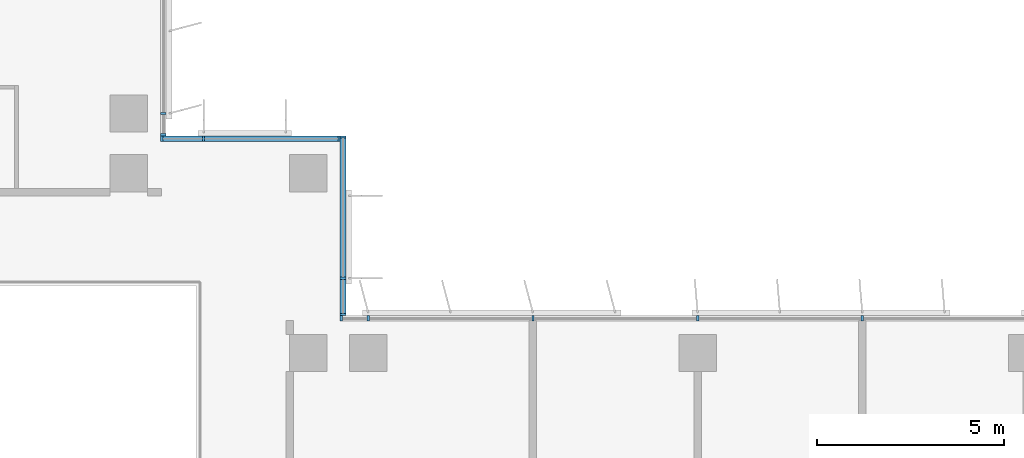
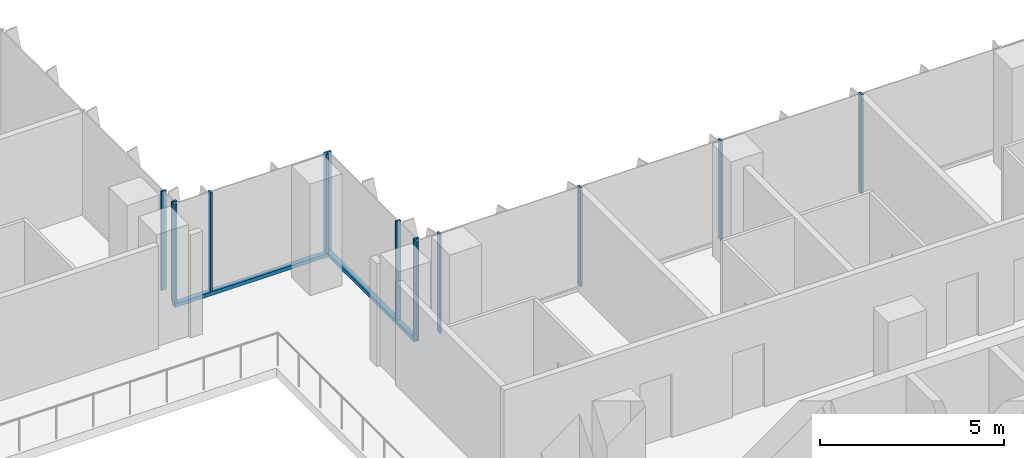
# One storey, part 2 of 21: 15 members, 4 elements without a shape of their own.
"""IFC4 building model written with IfcOpenShell, lengths in metres."""

from ifc_helpers import new_model, si_unit, direction, frame, origin, origin_2d, place, context, subcontext, project, spatial, rectangle, extrude, source, transform, mapped, material, material_profile, profile_set, type_object, element, aggregate, save


model = new_model("IFC4")

# Units and contexts
model_context = context("Model", 3, precision=1e-05, world=origin(), true_north=direction((0.0, 1.0)))
body_context = subcontext(model_context, "Body", "Model", "MODEL_VIEW")
ifc_project = project(units=[si_unit("LENGTHUNIT", "METRE"), si_unit("AREAUNIT", "SQUARE_METRE"), si_unit("VOLUMEUNIT", "CUBIC_METRE"), si_unit("PLANEANGLEUNIT", "RADIAN"), si_unit("MASSUNIT", "GRAM", prefix="KILO")], contexts=[model_context])

# Site, building, storey
site_placement = place(None, origin())
site = spatial("IfcSite", under=ifc_project, at=site_placement, CompositionType="ELEMENT")
building_placement = place(site_placement, origin())
building = spatial("IfcBuilding", under=site, at=building_placement, Name="Kemantara Hotel Tower", CompositionType="ELEMENT")
storey_placement = place(building_placement, frame((0.0, 0.0, 208.0)))
storey = spatial("IfcBuildingStorey", under=building, at=storey_placement, Name="L51", CompositionType="ELEMENT", Elevation=208.0)

# Curtain wall, member
ifc_material_1 = material(Name="Low-E tinted double insulated glass 36 mm", Category="glass")
curtain_wall_type = type_object("IfcCurtainWallType", Name="TOWER CURTAIN WALL, FRONT FACES", PredefinedType="USERDEFINED", material=ifc_material_1)
curtain_wall_1_placement = place(storey_placement, origin())
curtain_wall_1 = element("IfcCurtainWall", 1, at=curtain_wall_1_placement, inside=storey, type_object=curtain_wall_type, Name="CW4 L51 T3-R15-1", ObjectType="TOWER CURTAIN WALL, FRONT FACES", PredefinedType="USERDEFINED")
ifc_material_2 = material(Name="Aluminium 6063-T6 bronze anodised", Category="aluminium")
ifc_material_profile_1 = material_profile(ifc_material_2, rectangle(XDim=0.14990234375, YDim=0.1201171875, at=origin_2d()), Name="TOWER CURTAIN WALL, FRONT FACES TRANSOM")
ifc_profile_set_1 = profile_set([ifc_material_profile_1], Name="Aluminium 6063-T6 bronze anodised")
member_type_1 = type_object("IfcMemberType", Name="TOWER CURTAIN WALL, FRONT FACES TRANSOM", PredefinedType="USERDEFINED", material=ifc_profile_set_1)
member_1_placement = place(storey_placement, frame((26.72509765625, 22.0, 0.06005859375), z_axis=(0.0, 1.0, 0.0), x_axis=(-1.0, 0.0, 0.0)))
member_1 = element("IfcMember", 2, at=member_1_placement, type_object=member_type_1, Name="CW4 sill transom T3-R15-1", ObjectType="TRANSOM", PredefinedType="USERDEFINED", context=body_context, shape_type="SweptSolid", body=[
    extrude(rectangle(XDim=0.14990234375, YDim=0.1201171875, at=origin_2d()), origin(), (0.0, 0.0, 1.0), 4.800048828125),
])

curtain_wall_2_placement = place(storey_placement, origin())
curtain_wall_2 = element("IfcCurtainWall", 3, at=curtain_wall_2_placement, inside=storey, type_object=curtain_wall_type, Name="CW4 L51 T3-R16-1", ObjectType="TOWER CURTAIN WALL, FRONT FACES", PredefinedType="USERDEFINED")
member_2_placement = place(storey_placement, frame((26.64990234375, 26.72509765625, 0.06005859375), z_axis=(-1.0, 0.0, 0.0), x_axis=(0.0, -1.0, 0.0)))
member_2 = element("IfcMember", 4, at=member_2_placement, type_object=member_type_1, Name="CW4 sill transom T3-R16-1", ObjectType="TRANSOM", PredefinedType="USERDEFINED", context=body_context, shape_type="SweptSolid", body=[
    extrude(rectangle(XDim=0.14990234375, YDim=0.1201171875, at=origin_2d()), origin(), (0.0, 0.0, 1.0), 4.7998046875),
])

# Curtain wall, members
curtain_wall_3_placement = place(storey_placement, origin())
curtain_wall_3 = element("IfcCurtainWall", 5, at=curtain_wall_3_placement, inside=storey, type_object=curtain_wall_type, Name="CW4 L51 T3-R14-1", ObjectType="TOWER CURTAIN WALL, FRONT FACES", PredefinedType="USERDEFINED")
ifc_material_profile_2 = material_profile(ifc_material_2, rectangle(XDim=0.14990234375, YDim=0.06005859375, at=origin_2d()), Name="TOWER CURTAIN WALL, FRONT FACES MULLION")
ifc_profile_set_2 = profile_set([ifc_material_profile_2], Name="Aluminium 6063-T6 bronze anodised")
member_type_2 = type_object("IfcMemberType", Name="TOWER CURTAIN WALL, FRONT FACES MULLION", PredefinedType="MULLION", material=ifc_profile_set_2)
shared_shape = source(origin(), body_context, "Body", "SweptSolid", [
    extrude(rectangle(XDim=0.14990234375, YDim=0.06005859375, at=origin_2d()), origin(), (0.0, 0.0, 1.0), 3.27978515625),
])
member_3_placement = place(storey_placement, frame((40.60009765625, 21.925048828125, 0.1201171875), z_axis=(0.0, 0.0, 1.0), x_axis=(0.0, -1.0, 0.0)))
member_3 = element("IfcMember", 6, at=member_3_placement, type_object=member_type_2, Name="CW4 mullion T3-R14-1.6", PredefinedType="MULLION", context=body_context, shape_type="MappedRepresentation", body=[
    mapped(shared_shape, transform((0.0, 0.0, 0.0))),
])
member_4_placement = place(storey_placement, frame((36.199951171875, 21.925048828125, 0.1201171875), z_axis=(0.0, 0.0, 1.0), x_axis=(0.0, -1.0, 0.0)))
member_4 = element("IfcMember", 7, at=member_4_placement, type_object=member_type_2, Name="CW4 mullion T3-R14-1.7", PredefinedType="MULLION", context=body_context, shape_type="MappedRepresentation", body=[
    mapped(shared_shape, transform((0.0, 0.0, 0.0))),
])
member_5_placement = place(storey_placement, frame((31.800048828125, 21.925048828125, 0.1201171875), z_axis=(0.0, 0.0, 1.0), x_axis=(0.0, -1.0, 0.0)))
member_5 = element("IfcMember", 8, at=member_5_placement, type_object=member_type_2, Name="CW4 mullion T3-R14-1.8", PredefinedType="MULLION", context=body_context, shape_type="MappedRepresentation", body=[
    mapped(shared_shape, transform((0.0, 0.0, 0.0))),
])
member_6_placement = place(storey_placement, frame((27.39990234375, 21.925048828125, 0.1201171875), z_axis=(0.0, 0.0, 1.0), x_axis=(0.0, -1.0, 0.0)))
member_6 = element("IfcMember", 9, at=member_6_placement, type_object=member_type_2, Name="CW4 mullion T3-R14-1.9", PredefinedType="MULLION", context=body_context, shape_type="MappedRepresentation", body=[
    mapped(shared_shape, transform((0.0, 0.0, 0.0))),
])
member_7_placement = place(storey_placement, frame((26.679931640625, 21.925048828125, 0.1201171875), z_axis=(0.0, 0.0, 1.0), x_axis=(0.0, -1.0, 0.0)))
member_7 = element("IfcMember", 10, at=member_7_placement, type_object=member_type_2, Name="CW4 mullion T3-R14-1.10", PredefinedType="MULLION", context=body_context, shape_type="MappedRepresentation", body=[
    mapped(shared_shape, transform((0.0, 0.0, 0.0))),
])
aggregate(curtain_wall_3, [member_3, member_4, member_5, member_6, member_7])

# Member
member_8_placement = place(storey_placement, frame((26.72509765625, 22.030029296875, 0.1201171875), z_axis=(0.0, 0.0, 1.0), x_axis=(-1.0, 0.0, 0.0)))
member_8 = element("IfcMember", 11, at=member_8_placement, type_object=member_type_2, Name="CW4 mullion T3-R15-1.1", PredefinedType="MULLION", context=body_context, shape_type="MappedRepresentation", body=[
    mapped(shared_shape, transform((0.0, 0.0, 0.0))),
])

member_9_placement = place(storey_placement, frame((26.72509765625, 23.0, 0.1201171875), z_axis=(0.0, 0.0, 1.0), x_axis=(-1.0, 0.0, 0.0)))
member_9 = element("IfcMember", 12, at=member_9_placement, type_object=member_type_2, Name="CW4 mullion T3-R15-1.2", PredefinedType="MULLION", context=body_context, shape_type="MappedRepresentation", body=[
    mapped(shared_shape, transform((0.0, 0.0, 0.0))),
])

member_10_placement = place(storey_placement, frame((26.72509765625, 26.77001953125, 0.1201171875), z_axis=(0.0, 0.0, 1.0), x_axis=(-1.0, 0.0, 0.0)))
member_10 = element("IfcMember", 13, at=member_10_placement, type_object=member_type_2, Name="CW4 mullion T3-R15-1.3", PredefinedType="MULLION", context=body_context, shape_type="MappedRepresentation", body=[
    mapped(shared_shape, transform((0.0, 0.0, 0.0))),
])

aggregate(curtain_wall_1, [member_1, member_8, member_9, member_10])

member_11_placement = place(storey_placement, frame((26.6201171875, 26.72509765625, 0.1201171875), z_axis=(0.0, 0.0, 1.0), x_axis=(0.0, -1.0, 0.0)))
member_11 = element("IfcMember", 14, at=member_11_placement, type_object=member_type_2, Name="CW4 mullion T3-R16-1.1", PredefinedType="MULLION", context=body_context, shape_type="MappedRepresentation", body=[
    mapped(shared_shape, transform((0.0, 0.0, 0.0))),
])

member_12_placement = place(storey_placement, frame((23.0, 26.72509765625, 0.1201171875), z_axis=(0.0, 0.0, 1.0), x_axis=(0.0, -1.0, 0.0)))
member_12 = element("IfcMember", 15, at=member_12_placement, type_object=member_type_2, Name="CW4 mullion T3-R16-1.2", PredefinedType="MULLION", context=body_context, shape_type="MappedRepresentation", body=[
    mapped(shared_shape, transform((0.0, 0.0, 0.0))),
])

member_13_placement = place(storey_placement, frame((21.8798828125, 26.72509765625, 0.1201171875), z_axis=(0.0, 0.0, 1.0), x_axis=(0.0, -1.0, 0.0)))
member_13 = element("IfcMember", 16, at=member_13_placement, type_object=member_type_2, Name="CW4 mullion T3-R16-1.3", PredefinedType="MULLION", context=body_context, shape_type="MappedRepresentation", body=[
    mapped(shared_shape, transform((0.0, 0.0, 0.0))),
])

aggregate(curtain_wall_2, [member_2, member_11, member_12, member_13])

# Curtain wall, members
curtain_wall_4_placement = place(storey_placement, origin())
curtain_wall_4 = element("IfcCurtainWall", 17, at=curtain_wall_4_placement, inside=storey, type_object=curtain_wall_type, Name="CW4 L51 T3-R17-1", ObjectType="TOWER CURTAIN WALL, FRONT FACES", PredefinedType="USERDEFINED")
member_14_placement = place(storey_placement, frame((21.925048828125, 26.830078125, 0.1201171875), z_axis=(0.0, 0.0, 1.0), x_axis=(-1.0, 0.0, 0.0)))
member_14 = element("IfcMember", 18, at=member_14_placement, type_object=member_type_2, Name="CW4 mullion T3-R17-1.1", PredefinedType="MULLION", context=body_context, shape_type="MappedRepresentation", body=[
    mapped(shared_shape, transform((0.0, 0.0, 0.0))),
])
member_15_placement = place(storey_placement, frame((21.925048828125, 27.39990234375, 0.1201171875), z_axis=(0.0, 0.0, 1.0), x_axis=(-1.0, 0.0, 0.0)))
member_15 = element("IfcMember", 19, at=member_15_placement, type_object=member_type_2, Name="CW4 mullion T3-R17-1.2", PredefinedType="MULLION", context=body_context, shape_type="MappedRepresentation", body=[
    mapped(shared_shape, transform((0.0, 0.0, 0.0))),
])
aggregate(curtain_wall_4, [member_14, member_15])

save(model, "model.ifc")
